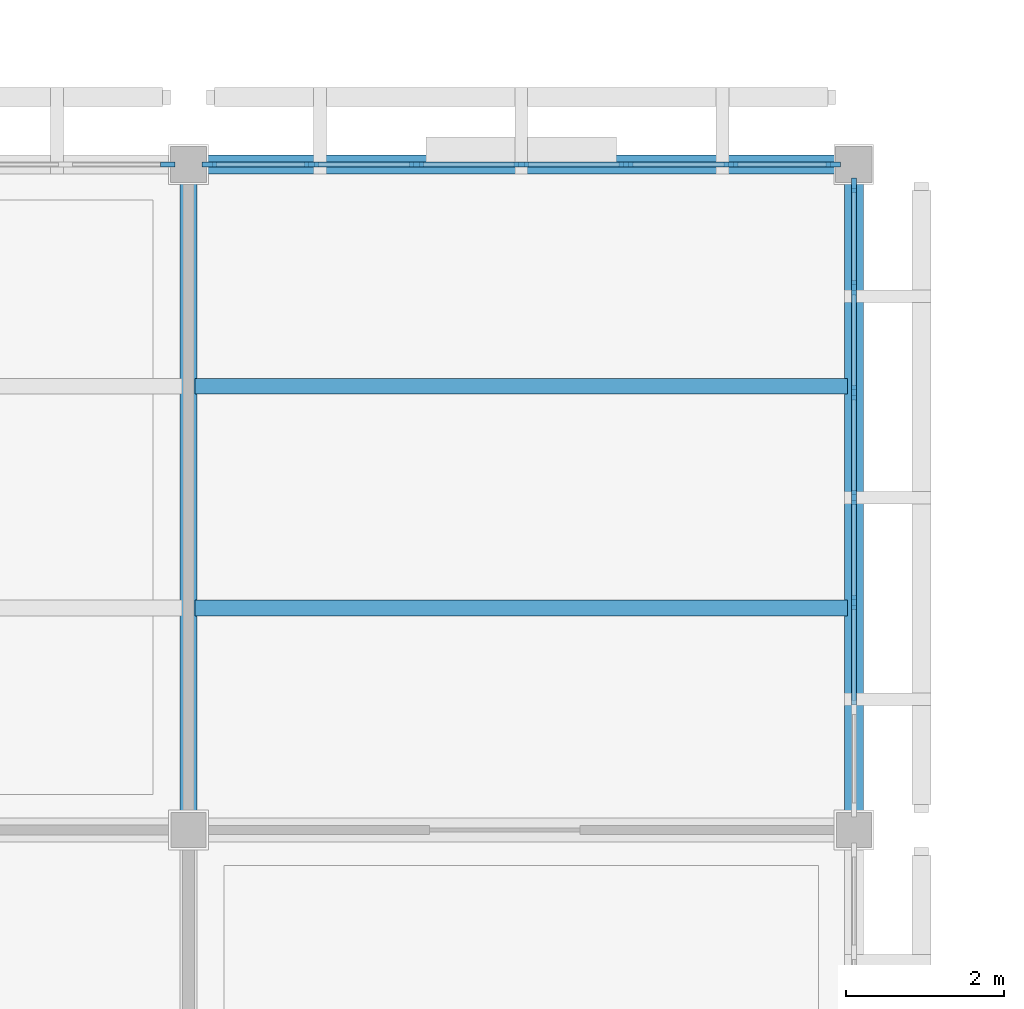
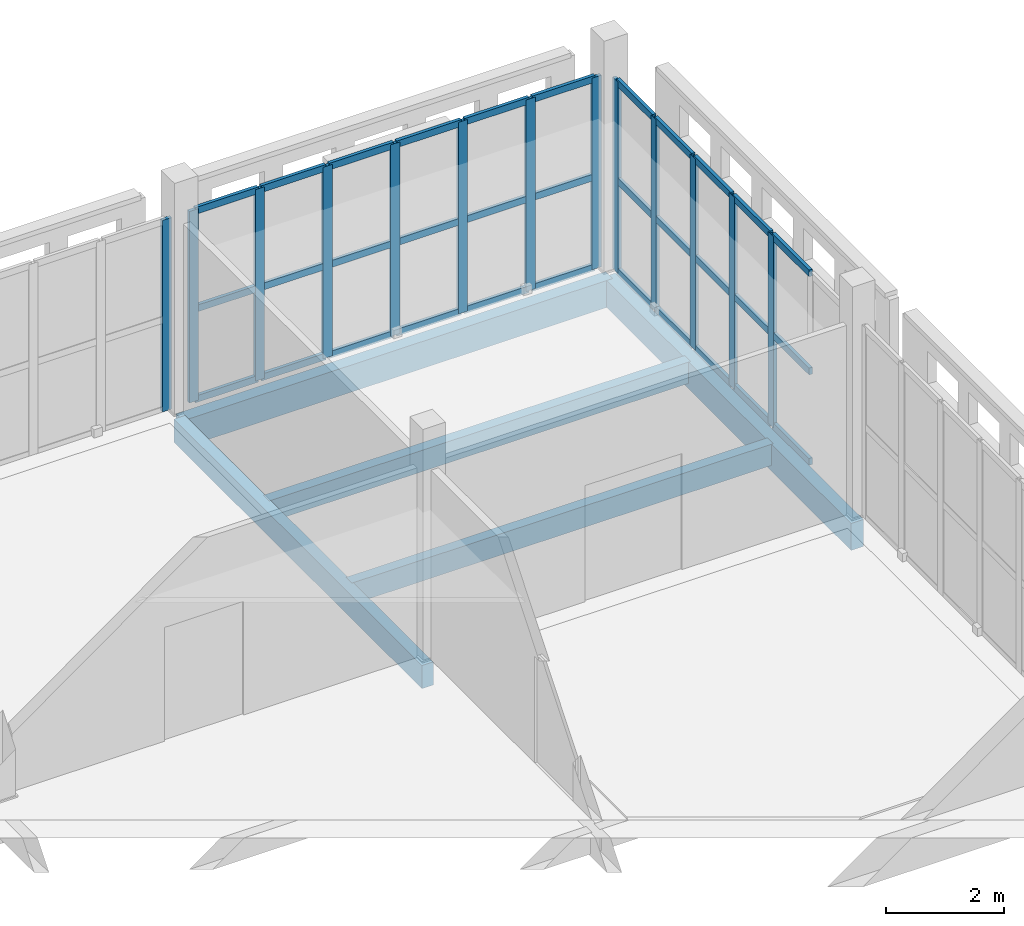
# One storey, part 86 of 203: 46 members, 5 beams, 3 elements without a shape of their own.
"""IFC4 building model written with IfcOpenShell, lengths in metres."""

from ifc_helpers import new_model, si_unit, direction, frame, origin, origin_2d, place, context, subcontext, project, spatial, rectangle, extrude, material, layer, layer_set, material_profile, profile_set, type_object, element, aggregate, save


model = new_model("IFC4")

# Units and contexts
model_context = context("Model", 3, precision=1e-05, world=origin(), true_north=direction((0.0, 1.0)))
body_context = subcontext(model_context, "Body", "Model", "MODEL_VIEW")
ifc_project = project(units=[si_unit("LENGTHUNIT", "METRE"), si_unit("AREAUNIT", "SQUARE_METRE"), si_unit("VOLUMEUNIT", "CUBIC_METRE"), si_unit("PLANEANGLEUNIT", "RADIAN"), si_unit("MASSUNIT", "GRAM", prefix="KILO")], contexts=[model_context])

# Site, building, storey
site_placement = place(None, origin())
site = spatial("IfcSite", under=ifc_project, at=site_placement, CompositionType="ELEMENT")
building_placement = place(site_placement, origin())
building = spatial("IfcBuilding", under=site, at=building_placement, Name="Varnapada Polytechnic", CompositionType="ELEMENT")
storey_placement = place(building_placement, frame((0.0, 0.0, 4.800048828125)))
storey = spatial("IfcBuildingStorey", under=building, at=storey_placement, Name="L01", CompositionType="ELEMENT", Elevation=4.800048828125)

# Beams
ifc_material_1 = material(Name="Glulam GL32h", Category="wood")
ifc_material_profile_1 = material_profile(ifc_material_1, rectangle(XDim=0.199951171875, YDim=0.43994140625, at=origin_2d()), Name="GL 200x440")
ifc_profile_set_1 = profile_set([ifc_material_profile_1], Name="Glulam GL32h")
beam_type_1 = type_object("IfcBeamType", Name="Heavy laboratory glulam joist GJ-03 (GL 200x440)", PredefinedType="JOIST", material=ifc_profile_set_1)
for number, where, z_axis, x_axis, name in (
    (1, (168.080078125, 112.0, -0.469970703125), (1.0, 0.0, 0.0), (0.0, 1.0, 0.0), "L01 floor joist 21/14.1"),
    (2, (168.080078125, 114.800048828125, -0.469970703125), (1.0, 0.0, 0.0), (0.0, 1.0, 0.0), "L01 floor joist 21/14.2"),
):
    element("IfcBeam", number, at=place(storey_placement, frame(where, z_axis=z_axis, x_axis=x_axis)), inside=storey, type_object=beam_type_1, Name=name, PredefinedType="JOIST", context=body_context, shape_type="SweptSolid", body=[
        extrude(rectangle(XDim=0.199951171875, YDim=0.43994140625, at=origin_2d()), origin(), (0.0, 0.0, 1.0), 8.239990234375),
    ])

# Curtain wall, member
ifc_material_2 = material(Name="Double low-E laminated glass", Category="glass")
ifc_layer = layer(ifc_material_2, 0.179931640625)
ifc_layer_set = layer_set([ifc_layer], Name="Double low-E laminated glass")
curtain_wall_type = type_object("IfcCurtainWallType", Name="Curtain Wall CW-04", PredefinedType="NOTDEFINED", material=ifc_layer_set)
curtain_wall_1_placement = place(storey_placement, origin())
curtain_wall_1 = element("IfcCurtainWall", 3, at=curtain_wall_1_placement, inside=storey, type_object=curtain_wall_type, Name="L01 unitised curtain wall CW-04 (114)", PredefinedType="NOTDEFINED")
ifc_material_3 = material(Name="Anodised aluminium", Category="aluminium")
ifc_material_profile_2 = material_profile(ifc_material_3, rectangle(XDim=0.06494140625, YDim=0.179931640625, at=origin_2d()), Name="ALU M65x180")
ifc_profile_set_2 = profile_set([ifc_material_profile_2], Name="Anodised aluminium")
member_type_1 = type_object("IfcMemberType", Name="Mullion M-02", PredefinedType="MULLION", material=ifc_profile_set_2)
member_1_placement = place(storey_placement, frame((167.737548828125, 117.60009765625, 0.0), z_axis=(0.0, 0.0, 1.0), x_axis=(0.0, 1.0, 0.0)))
member_1 = element("IfcMember", 4, at=member_1_placement, type_object=member_type_1, Name="CW-04 mullion 7", PredefinedType="MULLION", context=body_context, shape_type="SweptSolid", body=[
    extrude(rectangle(XDim=0.06494140625, YDim=0.179931640625, at=origin_2d()), origin(), (0.0, 0.0, 1.0), 3.9599609375),
])
aggregate(curtain_wall_1, [member_1])

# Curtain wall, members
curtain_wall_2_placement = place(storey_placement, origin())
curtain_wall_2 = element("IfcCurtainWall", 5, at=curtain_wall_2_placement, inside=storey, type_object=curtain_wall_type, Name="L01 unitised curtain wall CW-04 (126)", PredefinedType="NOTDEFINED")
member_2_placement = place(storey_placement, frame((168.262451171875, 117.60009765625, 0.0), z_axis=(0.0, 0.0, 1.0), x_axis=(0.0, 1.0, 0.0)))
member_2 = element("IfcMember", 6, at=member_2_placement, type_object=member_type_1, Name="CW-04 mullion 1", PredefinedType="MULLION", context=body_context, shape_type="SweptSolid", body=[
    extrude(rectangle(XDim=0.06494140625, YDim=0.179931640625, at=origin_2d()), origin(), (0.0, 0.0, 1.0), 3.9599609375),
])
member_3_placement = place(storey_placement, frame((169.55322265625, 117.60009765625, 0.0), z_axis=(0.0, 0.0, 1.0), x_axis=(0.0, 1.0, 0.0)))
member_3 = element("IfcMember", 7, at=member_3_placement, type_object=member_type_1, Name="CW-04 mullion 2", PredefinedType="MULLION", context=body_context, shape_type="SweptSolid", body=[
    extrude(rectangle(XDim=0.06494140625, YDim=0.179931640625, at=origin_2d()), origin(), (0.0, 0.0, 1.0), 3.9599609375),
])
member_4_placement = place(storey_placement, frame((170.876708984375, 117.60009765625, 0.0), z_axis=(0.0, 0.0, 1.0), x_axis=(0.0, 1.0, 0.0)))
member_4 = element("IfcMember", 8, at=member_4_placement, type_object=member_type_1, Name="CW-04 mullion 3", PredefinedType="MULLION", context=body_context, shape_type="SweptSolid", body=[
    extrude(rectangle(XDim=0.06494140625, YDim=0.179931640625, at=origin_2d()), origin(), (0.0, 0.0, 1.0), 3.9599609375),
])
member_5_placement = place(storey_placement, frame((172.199951171875, 117.60009765625, 0.0), z_axis=(0.0, 0.0, 1.0), x_axis=(0.0, 1.0, 0.0)))
member_5 = element("IfcMember", 9, at=member_5_placement, type_object=member_type_1, Name="CW-04 mullion 4", PredefinedType="MULLION", context=body_context, shape_type="SweptSolid", body=[
    extrude(rectangle(XDim=0.06494140625, YDim=0.179931640625, at=origin_2d()), origin(), (0.0, 0.0, 1.0), 3.9599609375),
])
member_6_placement = place(storey_placement, frame((173.5234375, 117.60009765625, 0.0), z_axis=(0.0, 0.0, 1.0), x_axis=(0.0, 1.0, 0.0)))
member_6 = element("IfcMember", 10, at=member_6_placement, type_object=member_type_1, Name="CW-04 mullion 5", PredefinedType="MULLION", context=body_context, shape_type="SweptSolid", body=[
    extrude(rectangle(XDim=0.06494140625, YDim=0.179931640625, at=origin_2d()), origin(), (0.0, 0.0, 1.0), 3.9599609375),
])
member_7_placement = place(storey_placement, frame((174.8466796875, 117.60009765625, 0.0), z_axis=(0.0, 0.0, 1.0), x_axis=(0.0, 1.0, 0.0)))
member_7 = element("IfcMember", 11, at=member_7_placement, type_object=member_type_1, Name="CW-04 mullion 6", PredefinedType="MULLION", context=body_context, shape_type="SweptSolid", body=[
    extrude(rectangle(XDim=0.06494140625, YDim=0.179931640625, at=origin_2d()), origin(), (0.0, 0.0, 1.0), 3.9599609375),
])
member_8_placement = place(storey_placement, frame((176.137451171875, 117.60009765625, 0.0), z_axis=(0.0, 0.0, 1.0), x_axis=(0.0, 1.0, 0.0)))
member_8 = element("IfcMember", 12, at=member_8_placement, type_object=member_type_1, Name="CW-04 mullion 7", PredefinedType="MULLION", context=body_context, shape_type="SweptSolid", body=[
    extrude(rectangle(XDim=0.06494140625, YDim=0.179931640625, at=origin_2d()), origin(), (0.0, 0.0, 1.0), 3.9599609375),
])

curtain_wall_3_placement = place(storey_placement, origin())
curtain_wall_3 = element("IfcCurtainWall", 13, at=curtain_wall_3_placement, inside=storey, type_object=curtain_wall_type, Name="L01 unitised curtain wall CW-04 (127)", PredefinedType="NOTDEFINED")
member_9_placement = place(storey_placement, frame((176.39990234375, 117.33740234375, 0.0), z_axis=(0.0, 0.0, 1.0), x_axis=(1.0, 0.0, 0.0)))
member_9 = element("IfcMember", 14, at=member_9_placement, type_object=member_type_1, Name="CW-04 mullion 1", PredefinedType="MULLION", context=body_context, shape_type="SweptSolid", body=[
    extrude(rectangle(XDim=0.06494140625, YDim=0.179931640625, at=origin_2d()), origin(), (0.0, 0.0, 1.0), 3.9599609375),
])
member_10_placement = place(storey_placement, frame((176.39990234375, 116.044921875, 0.0), z_axis=(0.0, 0.0, 1.0), x_axis=(1.0, 0.0, 0.0)))
member_10 = element("IfcMember", 15, at=member_10_placement, type_object=member_type_1, Name="CW-04 mullion 2", PredefinedType="MULLION", context=body_context, shape_type="SweptSolid", body=[
    extrude(rectangle(XDim=0.06494140625, YDim=0.179931640625, at=origin_2d()), origin(), (0.0, 0.0, 1.0), 3.9599609375),
])
member_11_placement = place(storey_placement, frame((176.39990234375, 114.719970703125, 0.0), z_axis=(0.0, 0.0, 1.0), x_axis=(1.0, 0.0, 0.0)))
member_11 = element("IfcMember", 16, at=member_11_placement, type_object=member_type_1, Name="CW-04 mullion 3", PredefinedType="MULLION", context=body_context, shape_type="SweptSolid", body=[
    extrude(rectangle(XDim=0.06494140625, YDim=0.179931640625, at=origin_2d()), origin(), (0.0, 0.0, 1.0), 3.9599609375),
])
member_12_placement = place(storey_placement, frame((176.39990234375, 113.39501953125, 0.0), z_axis=(0.0, 0.0, 1.0), x_axis=(1.0, 0.0, 0.0)))
member_12 = element("IfcMember", 17, at=member_12_placement, type_object=member_type_1, Name="CW-04 mullion 4", PredefinedType="MULLION", context=body_context, shape_type="SweptSolid", body=[
    extrude(rectangle(XDim=0.06494140625, YDim=0.179931640625, at=origin_2d()), origin(), (0.0, 0.0, 1.0), 3.9599609375),
])
member_13_placement = place(storey_placement, frame((176.39990234375, 112.070068359375, 0.0), z_axis=(0.0, 0.0, 1.0), x_axis=(1.0, 0.0, 0.0)))
member_13 = element("IfcMember", 18, at=member_13_placement, type_object=member_type_1, Name="CW-04 mullion 5", PredefinedType="MULLION", context=body_context, shape_type="SweptSolid", body=[
    extrude(rectangle(XDim=0.06494140625, YDim=0.179931640625, at=origin_2d()), origin(), (0.0, 0.0, 1.0), 3.9599609375),
])

# Beams
ifc_material_profile_3 = material_profile(ifc_material_1, rectangle(XDim=0.239990234375, YDim=0.56005859375, at=origin_2d()), Name="GL 240x560")
ifc_profile_set_3 = profile_set([ifc_material_profile_3], Name="Glulam GL32h")
beam_type_2 = type_object("IfcBeamType", Name="Perimeter glulam spandrel beam SP-02 (GL 240x560)", PredefinedType="SPANDREL", material=ifc_profile_set_3)
beam_1_placement = place(storey_placement, frame((168.0, 117.60009765625, -0.530029296875), z_axis=(1.0, 0.0, 0.0), x_axis=(0.0, 1.0, 0.0)))
element("IfcBeam", 19, at=beam_1_placement, inside=storey, type_object=beam_type_2, Name="L01 beam X 21-22 at Y15", PredefinedType="SPANDREL", context=body_context, shape_type="SweptSolid", body=[
    extrude(rectangle(XDim=0.239990234375, YDim=0.56005859375, at=origin_2d()), origin(), (0.0, 0.0, 1.0), 8.39990234375),
])
beam_2_placement = place(storey_placement, frame((176.39990234375, 109.199951171875, -0.530029296875), z_axis=(0.0, 1.0, 0.0), x_axis=(-1.0, 0.0, 0.0)))
element("IfcBeam", 20, at=beam_2_placement, inside=storey, type_object=beam_type_2, Name="L01 beam Y 14-15 at X22", PredefinedType="SPANDREL", context=body_context, shape_type="SweptSolid", body=[
    extrude(rectangle(XDim=0.239990234375, YDim=0.56005859375, at=origin_2d()), origin(), (0.0, 0.0, 1.0), 8.400146484375),
])

# Member
ifc_material_profile_4 = material_profile(ifc_material_3, rectangle(XDim=0.06494140625, YDim=0.139892578125, at=origin_2d()), Name="ALU T65x140")
ifc_profile_set_4 = profile_set([ifc_material_profile_4], Name="Anodised aluminium")
member_type_2 = type_object("IfcMemberType", Name="Transom T-02", PredefinedType="USERDEFINED", material=ifc_profile_set_4)
member_14_placement = place(storey_placement, frame((168.294921875, 117.60009765625, 0.032470703125), z_axis=(1.0, 0.0, 0.0), x_axis=(0.0, 1.0, 0.0)))
member_14 = element("IfcMember", 21, at=member_14_placement, type_object=member_type_2, Name="CW-04 transom 1.1", ObjectType="TRANSOM", PredefinedType="USERDEFINED", context=body_context, shape_type="SweptSolid", body=[
    extrude(rectangle(XDim=0.06494140625, YDim=0.139892578125, at=origin_2d()), origin(), (0.0, 0.0, 1.0), 1.225830078125),
])

member_15_placement = place(storey_placement, frame((168.294921875, 117.60009765625, 1.900634765625), z_axis=(1.0, 0.0, 0.0), x_axis=(0.0, 1.0, 0.0)))
member_15 = element("IfcMember", 22, at=member_15_placement, type_object=member_type_2, Name="CW-04 transom 1.2", ObjectType="TRANSOM", PredefinedType="USERDEFINED", context=body_context, shape_type="SweptSolid", body=[
    extrude(rectangle(XDim=0.06494140625, YDim=0.139892578125, at=origin_2d()), origin(), (0.0, 0.0, 1.0), 1.225830078125),
])

member_16_placement = place(storey_placement, frame((168.294921875, 117.60009765625, 3.927490234375), z_axis=(1.0, 0.0, 0.0), x_axis=(0.0, 1.0, 0.0)))
member_16 = element("IfcMember", 23, at=member_16_placement, type_object=member_type_2, Name="CW-04 transom 1.3", ObjectType="TRANSOM", PredefinedType="USERDEFINED", context=body_context, shape_type="SweptSolid", body=[
    extrude(rectangle(XDim=0.06494140625, YDim=0.139892578125, at=origin_2d()), origin(), (0.0, 0.0, 1.0), 1.225830078125),
])

member_17_placement = place(storey_placement, frame((169.5859375, 117.60009765625, 0.032470703125), z_axis=(1.0, 0.0, 0.0), x_axis=(0.0, 1.0, 0.0)))
member_17 = element("IfcMember", 24, at=member_17_placement, type_object=member_type_2, Name="CW-04 transom 2.1", ObjectType="TRANSOM", PredefinedType="USERDEFINED", context=body_context, shape_type="SweptSolid", body=[
    extrude(rectangle(XDim=0.06494140625, YDim=0.139892578125, at=origin_2d()), origin(), (0.0, 0.0, 1.0), 1.25830078125),
])

member_18_placement = place(storey_placement, frame((169.5859375, 117.60009765625, 1.900634765625), z_axis=(1.0, 0.0, 0.0), x_axis=(0.0, 1.0, 0.0)))
member_18 = element("IfcMember", 25, at=member_18_placement, type_object=member_type_2, Name="CW-04 transom 2.2", ObjectType="TRANSOM", PredefinedType="USERDEFINED", context=body_context, shape_type="SweptSolid", body=[
    extrude(rectangle(XDim=0.06494140625, YDim=0.139892578125, at=origin_2d()), origin(), (0.0, 0.0, 1.0), 1.25830078125),
])

member_19_placement = place(storey_placement, frame((169.5859375, 117.60009765625, 3.927490234375), z_axis=(1.0, 0.0, 0.0), x_axis=(0.0, 1.0, 0.0)))
member_19 = element("IfcMember", 26, at=member_19_placement, type_object=member_type_2, Name="CW-04 transom 2.3", ObjectType="TRANSOM", PredefinedType="USERDEFINED", context=body_context, shape_type="SweptSolid", body=[
    extrude(rectangle(XDim=0.06494140625, YDim=0.139892578125, at=origin_2d()), origin(), (0.0, 0.0, 1.0), 1.25830078125),
])

member_20_placement = place(storey_placement, frame((170.9091796875, 117.60009765625, 0.032470703125), z_axis=(1.0, 0.0, 0.0), x_axis=(0.0, 1.0, 0.0)))
member_20 = element("IfcMember", 27, at=member_20_placement, type_object=member_type_2, Name="CW-04 transom 3.1", ObjectType="TRANSOM", PredefinedType="USERDEFINED", context=body_context, shape_type="SweptSolid", body=[
    extrude(rectangle(XDim=0.06494140625, YDim=0.139892578125, at=origin_2d()), origin(), (0.0, 0.0, 1.0), 1.25830078125),
])

member_21_placement = place(storey_placement, frame((170.9091796875, 117.60009765625, 1.900634765625), z_axis=(1.0, 0.0, 0.0), x_axis=(0.0, 1.0, 0.0)))
member_21 = element("IfcMember", 28, at=member_21_placement, type_object=member_type_2, Name="CW-04 transom 3.2", ObjectType="TRANSOM", PredefinedType="USERDEFINED", context=body_context, shape_type="SweptSolid", body=[
    extrude(rectangle(XDim=0.06494140625, YDim=0.139892578125, at=origin_2d()), origin(), (0.0, 0.0, 1.0), 1.25830078125),
])

member_22_placement = place(storey_placement, frame((170.9091796875, 117.60009765625, 3.927490234375), z_axis=(1.0, 0.0, 0.0), x_axis=(0.0, 1.0, 0.0)))
member_22 = element("IfcMember", 29, at=member_22_placement, type_object=member_type_2, Name="CW-04 transom 3.3", ObjectType="TRANSOM", PredefinedType="USERDEFINED", context=body_context, shape_type="SweptSolid", body=[
    extrude(rectangle(XDim=0.06494140625, YDim=0.139892578125, at=origin_2d()), origin(), (0.0, 0.0, 1.0), 1.25830078125),
])

member_23_placement = place(storey_placement, frame((172.232421875, 117.60009765625, 0.032470703125), z_axis=(1.0, 0.0, 0.0), x_axis=(0.0, 1.0, 0.0)))
member_23 = element("IfcMember", 30, at=member_23_placement, type_object=member_type_2, Name="CW-04 transom 4.1", ObjectType="TRANSOM", PredefinedType="USERDEFINED", context=body_context, shape_type="SweptSolid", body=[
    extrude(rectangle(XDim=0.06494140625, YDim=0.139892578125, at=origin_2d()), origin(), (0.0, 0.0, 1.0), 1.25830078125),
])

member_24_placement = place(storey_placement, frame((172.232421875, 117.60009765625, 1.900634765625), z_axis=(1.0, 0.0, 0.0), x_axis=(0.0, 1.0, 0.0)))
member_24 = element("IfcMember", 31, at=member_24_placement, type_object=member_type_2, Name="CW-04 transom 4.2", ObjectType="TRANSOM", PredefinedType="USERDEFINED", context=body_context, shape_type="SweptSolid", body=[
    extrude(rectangle(XDim=0.06494140625, YDim=0.139892578125, at=origin_2d()), origin(), (0.0, 0.0, 1.0), 1.25830078125),
])

member_25_placement = place(storey_placement, frame((172.232421875, 117.60009765625, 3.927490234375), z_axis=(1.0, 0.0, 0.0), x_axis=(0.0, 1.0, 0.0)))
member_25 = element("IfcMember", 32, at=member_25_placement, type_object=member_type_2, Name="CW-04 transom 4.3", ObjectType="TRANSOM", PredefinedType="USERDEFINED", context=body_context, shape_type="SweptSolid", body=[
    extrude(rectangle(XDim=0.06494140625, YDim=0.139892578125, at=origin_2d()), origin(), (0.0, 0.0, 1.0), 1.25830078125),
])

member_26_placement = place(storey_placement, frame((173.555908203125, 117.60009765625, 0.032470703125), z_axis=(1.0, 0.0, 0.0), x_axis=(0.0, 1.0, 0.0)))
member_26 = element("IfcMember", 33, at=member_26_placement, type_object=member_type_2, Name="CW-04 transom 5.1", ObjectType="TRANSOM", PredefinedType="USERDEFINED", context=body_context, shape_type="SweptSolid", body=[
    extrude(rectangle(XDim=0.06494140625, YDim=0.139892578125, at=origin_2d()), origin(), (0.0, 0.0, 1.0), 1.25830078125),
])

member_27_placement = place(storey_placement, frame((173.555908203125, 117.60009765625, 1.900634765625), z_axis=(1.0, 0.0, 0.0), x_axis=(0.0, 1.0, 0.0)))
member_27 = element("IfcMember", 34, at=member_27_placement, type_object=member_type_2, Name="CW-04 transom 5.2", ObjectType="TRANSOM", PredefinedType="USERDEFINED", context=body_context, shape_type="SweptSolid", body=[
    extrude(rectangle(XDim=0.06494140625, YDim=0.139892578125, at=origin_2d()), origin(), (0.0, 0.0, 1.0), 1.25830078125),
])

member_28_placement = place(storey_placement, frame((173.555908203125, 117.60009765625, 3.927490234375), z_axis=(1.0, 0.0, 0.0), x_axis=(0.0, 1.0, 0.0)))
member_28 = element("IfcMember", 35, at=member_28_placement, type_object=member_type_2, Name="CW-04 transom 5.3", ObjectType="TRANSOM", PredefinedType="USERDEFINED", context=body_context, shape_type="SweptSolid", body=[
    extrude(rectangle(XDim=0.06494140625, YDim=0.139892578125, at=origin_2d()), origin(), (0.0, 0.0, 1.0), 1.25830078125),
])

member_29_placement = place(storey_placement, frame((174.879150390625, 117.60009765625, 0.032470703125), z_axis=(1.0, 0.0, 0.0), x_axis=(0.0, 1.0, 0.0)))
member_29 = element("IfcMember", 36, at=member_29_placement, type_object=member_type_2, Name="CW-04 transom 6.1", ObjectType="TRANSOM", PredefinedType="USERDEFINED", context=body_context, shape_type="SweptSolid", body=[
    extrude(rectangle(XDim=0.06494140625, YDim=0.139892578125, at=origin_2d()), origin(), (0.0, 0.0, 1.0), 1.225830078125),
])

member_30_placement = place(storey_placement, frame((174.879150390625, 117.60009765625, 1.900634765625), z_axis=(1.0, 0.0, 0.0), x_axis=(0.0, 1.0, 0.0)))
member_30 = element("IfcMember", 37, at=member_30_placement, type_object=member_type_2, Name="CW-04 transom 6.2", ObjectType="TRANSOM", PredefinedType="USERDEFINED", context=body_context, shape_type="SweptSolid", body=[
    extrude(rectangle(XDim=0.06494140625, YDim=0.139892578125, at=origin_2d()), origin(), (0.0, 0.0, 1.0), 1.225830078125),
])

member_31_placement = place(storey_placement, frame((174.879150390625, 117.60009765625, 3.927490234375), z_axis=(1.0, 0.0, 0.0), x_axis=(0.0, 1.0, 0.0)))
member_31 = element("IfcMember", 38, at=member_31_placement, type_object=member_type_2, Name="CW-04 transom 6.3", ObjectType="TRANSOM", PredefinedType="USERDEFINED", context=body_context, shape_type="SweptSolid", body=[
    extrude(rectangle(XDim=0.06494140625, YDim=0.139892578125, at=origin_2d()), origin(), (0.0, 0.0, 1.0), 1.225830078125),
])

aggregate(curtain_wall_2, [member_2, member_3, member_4, member_5, member_6, member_7, member_8, member_14, member_15, member_16, member_17, member_18, member_19, member_20, member_21, member_22, member_23, member_24, member_25, member_26, member_27, member_28, member_29, member_30, member_31])

member_32_placement = place(storey_placement, frame((176.39990234375, 117.304931640625, 0.032470703125), z_axis=(0.0, -1.0, 0.0), x_axis=(1.0, 0.0, 0.0)))
member_32 = element("IfcMember", 39, at=member_32_placement, type_object=member_type_2, Name="CW-04 transom 1.1", ObjectType="TRANSOM", PredefinedType="USERDEFINED", context=body_context, shape_type="SweptSolid", body=[
    extrude(rectangle(XDim=0.06494140625, YDim=0.139892578125, at=origin_2d()), origin(), (0.0, 0.0, 1.0), 1.2275390625),
])

member_33_placement = place(storey_placement, frame((176.39990234375, 117.304931640625, 1.900634765625), z_axis=(0.0, -1.0, 0.0), x_axis=(1.0, 0.0, 0.0)))
member_33 = element("IfcMember", 40, at=member_33_placement, type_object=member_type_2, Name="CW-04 transom 1.2", ObjectType="TRANSOM", PredefinedType="USERDEFINED", context=body_context, shape_type="SweptSolid", body=[
    extrude(rectangle(XDim=0.06494140625, YDim=0.139892578125, at=origin_2d()), origin(), (0.0, 0.0, 1.0), 1.2275390625),
])

member_34_placement = place(storey_placement, frame((176.39990234375, 117.304931640625, 3.927490234375), z_axis=(0.0, -1.0, 0.0), x_axis=(1.0, 0.0, 0.0)))
member_34 = element("IfcMember", 41, at=member_34_placement, type_object=member_type_2, Name="CW-04 transom 1.3", ObjectType="TRANSOM", PredefinedType="USERDEFINED", context=body_context, shape_type="SweptSolid", body=[
    extrude(rectangle(XDim=0.06494140625, YDim=0.139892578125, at=origin_2d()), origin(), (0.0, 0.0, 1.0), 1.2275390625),
])

member_35_placement = place(storey_placement, frame((176.39990234375, 116.012451171875, 0.032470703125), z_axis=(0.0, -1.0, 0.0), x_axis=(1.0, 0.0, 0.0)))
member_35 = element("IfcMember", 42, at=member_35_placement, type_object=member_type_2, Name="CW-04 transom 2.1", ObjectType="TRANSOM", PredefinedType="USERDEFINED", context=body_context, shape_type="SweptSolid", body=[
    extrude(rectangle(XDim=0.06494140625, YDim=0.139892578125, at=origin_2d()), origin(), (0.0, 0.0, 1.0), 1.260009765625),
])

member_36_placement = place(storey_placement, frame((176.39990234375, 116.012451171875, 1.900634765625), z_axis=(0.0, -1.0, 0.0), x_axis=(1.0, 0.0, 0.0)))
member_36 = element("IfcMember", 43, at=member_36_placement, type_object=member_type_2, Name="CW-04 transom 2.2", ObjectType="TRANSOM", PredefinedType="USERDEFINED", context=body_context, shape_type="SweptSolid", body=[
    extrude(rectangle(XDim=0.06494140625, YDim=0.139892578125, at=origin_2d()), origin(), (0.0, 0.0, 1.0), 1.260009765625),
])

member_37_placement = place(storey_placement, frame((176.39990234375, 116.012451171875, 3.927490234375), z_axis=(0.0, -1.0, 0.0), x_axis=(1.0, 0.0, 0.0)))
member_37 = element("IfcMember", 44, at=member_37_placement, type_object=member_type_2, Name="CW-04 transom 2.3", ObjectType="TRANSOM", PredefinedType="USERDEFINED", context=body_context, shape_type="SweptSolid", body=[
    extrude(rectangle(XDim=0.06494140625, YDim=0.139892578125, at=origin_2d()), origin(), (0.0, 0.0, 1.0), 1.260009765625),
])

member_38_placement = place(storey_placement, frame((176.39990234375, 114.6875, 0.032470703125), z_axis=(0.0, -1.0, 0.0), x_axis=(1.0, 0.0, 0.0)))
member_38 = element("IfcMember", 45, at=member_38_placement, type_object=member_type_2, Name="CW-04 transom 3.1", ObjectType="TRANSOM", PredefinedType="USERDEFINED", context=body_context, shape_type="SweptSolid", body=[
    extrude(rectangle(XDim=0.06494140625, YDim=0.139892578125, at=origin_2d()), origin(), (0.0, 0.0, 1.0), 1.260009765625),
])

member_39_placement = place(storey_placement, frame((176.39990234375, 114.6875, 1.900634765625), z_axis=(0.0, -1.0, 0.0), x_axis=(1.0, 0.0, 0.0)))
member_39 = element("IfcMember", 46, at=member_39_placement, type_object=member_type_2, Name="CW-04 transom 3.2", ObjectType="TRANSOM", PredefinedType="USERDEFINED", context=body_context, shape_type="SweptSolid", body=[
    extrude(rectangle(XDim=0.06494140625, YDim=0.139892578125, at=origin_2d()), origin(), (0.0, 0.0, 1.0), 1.260009765625),
])

member_40_placement = place(storey_placement, frame((176.39990234375, 114.6875, 3.927490234375), z_axis=(0.0, -1.0, 0.0), x_axis=(1.0, 0.0, 0.0)))
member_40 = element("IfcMember", 47, at=member_40_placement, type_object=member_type_2, Name="CW-04 transom 3.3", ObjectType="TRANSOM", PredefinedType="USERDEFINED", context=body_context, shape_type="SweptSolid", body=[
    extrude(rectangle(XDim=0.06494140625, YDim=0.139892578125, at=origin_2d()), origin(), (0.0, 0.0, 1.0), 1.260009765625),
])

member_41_placement = place(storey_placement, frame((176.39990234375, 113.362548828125, 0.032470703125), z_axis=(0.0, -1.0, 0.0), x_axis=(1.0, 0.0, 0.0)))
member_41 = element("IfcMember", 48, at=member_41_placement, type_object=member_type_2, Name="CW-04 transom 4.1", ObjectType="TRANSOM", PredefinedType="USERDEFINED", context=body_context, shape_type="SweptSolid", body=[
    extrude(rectangle(XDim=0.06494140625, YDim=0.139892578125, at=origin_2d()), origin(), (0.0, 0.0, 1.0), 1.260009765625),
])

member_42_placement = place(storey_placement, frame((176.39990234375, 113.362548828125, 1.900634765625), z_axis=(0.0, -1.0, 0.0), x_axis=(1.0, 0.0, 0.0)))
member_42 = element("IfcMember", 49, at=member_42_placement, type_object=member_type_2, Name="CW-04 transom 4.2", ObjectType="TRANSOM", PredefinedType="USERDEFINED", context=body_context, shape_type="SweptSolid", body=[
    extrude(rectangle(XDim=0.06494140625, YDim=0.139892578125, at=origin_2d()), origin(), (0.0, 0.0, 1.0), 1.260009765625),
])

member_43_placement = place(storey_placement, frame((176.39990234375, 113.362548828125, 3.927490234375), z_axis=(0.0, -1.0, 0.0), x_axis=(1.0, 0.0, 0.0)))
member_43 = element("IfcMember", 50, at=member_43_placement, type_object=member_type_2, Name="CW-04 transom 4.3", ObjectType="TRANSOM", PredefinedType="USERDEFINED", context=body_context, shape_type="SweptSolid", body=[
    extrude(rectangle(XDim=0.06494140625, YDim=0.139892578125, at=origin_2d()), origin(), (0.0, 0.0, 1.0), 1.260009765625),
])

member_44_placement = place(storey_placement, frame((176.39990234375, 112.03759765625, 0.032470703125), z_axis=(0.0, -1.0, 0.0), x_axis=(1.0, 0.0, 0.0)))
member_44 = element("IfcMember", 51, at=member_44_placement, type_object=member_type_2, Name="CW-04 transom 5.1", ObjectType="TRANSOM", PredefinedType="USERDEFINED", context=body_context, shape_type="SweptSolid", body=[
    extrude(rectangle(XDim=0.06494140625, YDim=0.139892578125, at=origin_2d()), origin(), (0.0, 0.0, 1.0), 1.260009765625),
])

member_45_placement = place(storey_placement, frame((176.39990234375, 112.03759765625, 1.900634765625), z_axis=(0.0, -1.0, 0.0), x_axis=(1.0, 0.0, 0.0)))
member_45 = element("IfcMember", 52, at=member_45_placement, type_object=member_type_2, Name="CW-04 transom 5.2", ObjectType="TRANSOM", PredefinedType="USERDEFINED", context=body_context, shape_type="SweptSolid", body=[
    extrude(rectangle(XDim=0.06494140625, YDim=0.139892578125, at=origin_2d()), origin(), (0.0, 0.0, 1.0), 1.260009765625),
])

member_46_placement = place(storey_placement, frame((176.39990234375, 112.03759765625, 3.927490234375), z_axis=(0.0, -1.0, 0.0), x_axis=(1.0, 0.0, 0.0)))
member_46 = element("IfcMember", 53, at=member_46_placement, type_object=member_type_2, Name="CW-04 transom 5.3", ObjectType="TRANSOM", PredefinedType="USERDEFINED", context=body_context, shape_type="SweptSolid", body=[
    extrude(rectangle(XDim=0.06494140625, YDim=0.139892578125, at=origin_2d()), origin(), (0.0, 0.0, 1.0), 1.260009765625),
])

aggregate(curtain_wall_3, [member_9, member_10, member_11, member_12, member_13, member_32, member_33, member_34, member_35, member_36, member_37, member_38, member_39, member_40, member_41, member_42, member_43, member_44, member_45, member_46])

# Beam
ifc_material_profile_5 = material_profile(ifc_material_1, rectangle(XDim=0.219970703125, YDim=0.47998046875, at=origin_2d()), Name="GL 220x480")
ifc_profile_set_5 = profile_set([ifc_material_profile_5], Name="Glulam GL32h")
beam_type_3 = type_object("IfcBeamType", Name="Upper floor glulam tie beam GB-11 (GL 220x480)", PredefinedType="BEAM", material=ifc_profile_set_5)
beam_3_placement = place(storey_placement, frame((168.0, 109.199951171875, -0.489990234375), z_axis=(0.0, 1.0, 0.0), x_axis=(-1.0, 0.0, 0.0)))
element("IfcBeam", 54, at=beam_3_placement, inside=storey, type_object=beam_type_3, Name="L01 beam Y 14-15 at X21", PredefinedType="BEAM", context=body_context, shape_type="SweptSolid", body=[
    extrude(rectangle(XDim=0.219970703125, YDim=0.47998046875, at=origin_2d()), origin(), (0.0, 0.0, 1.0), 8.400146484375),
])

save(model, "model.ifc")
